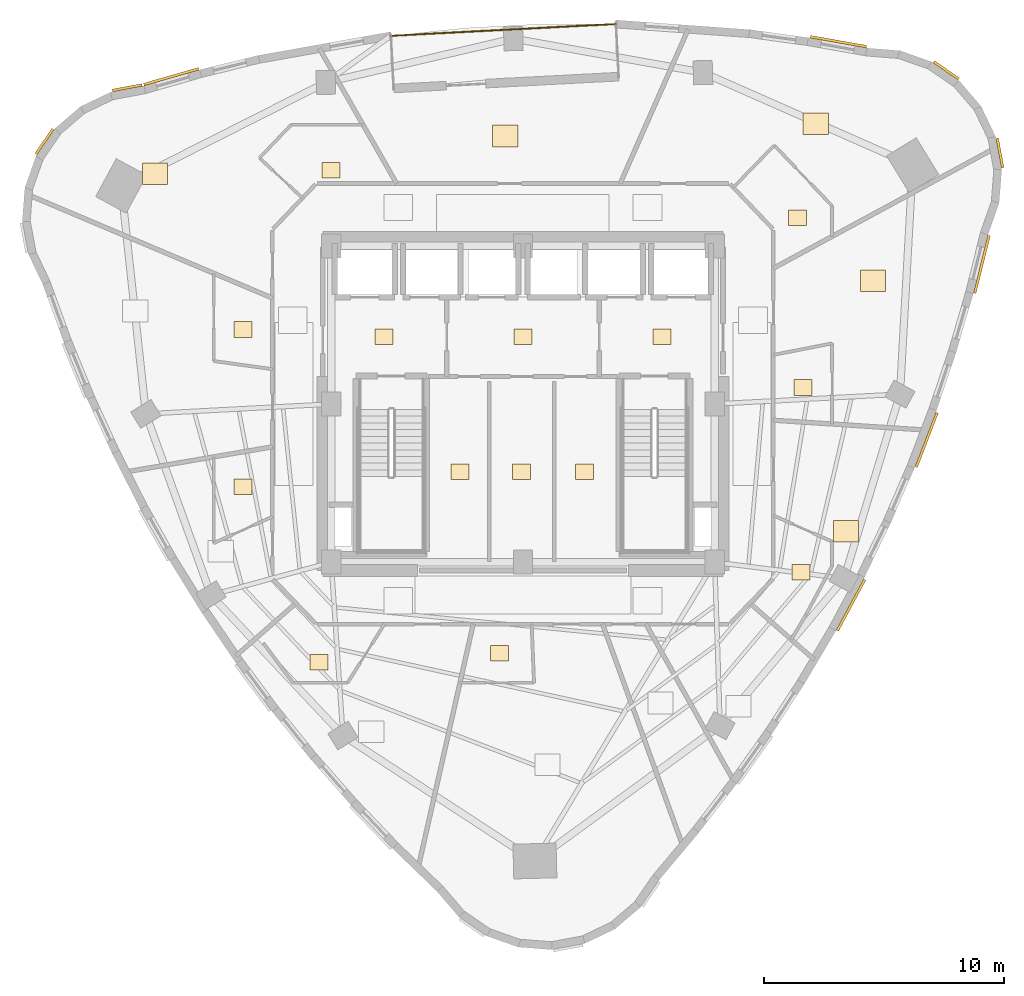
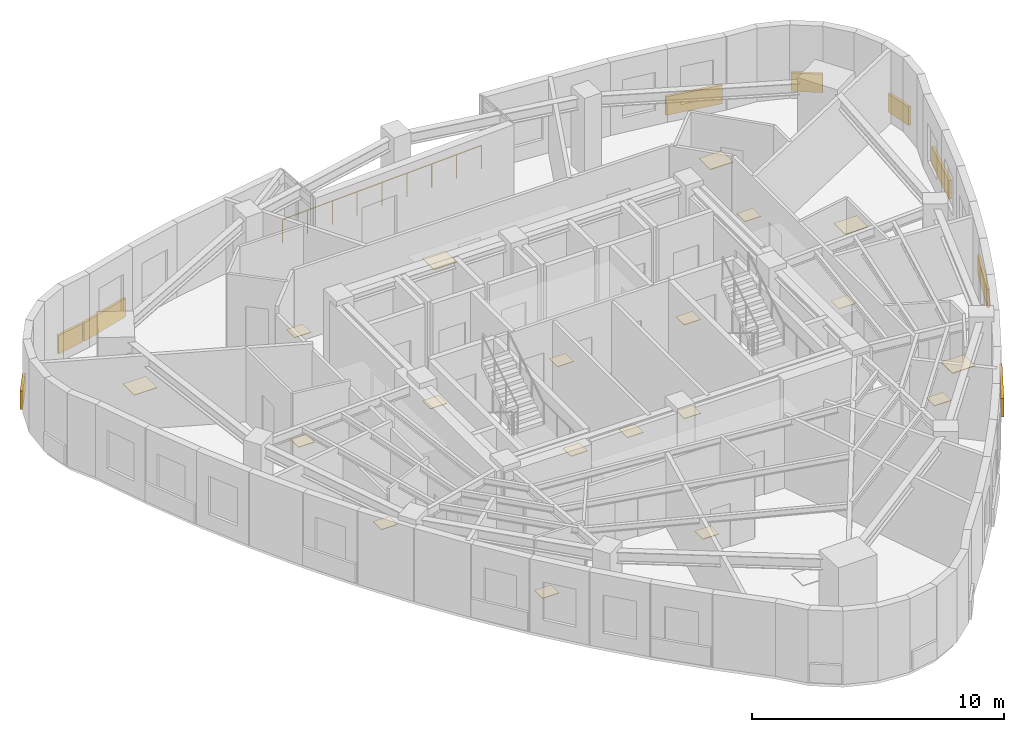
# One storey, part 11 of 11: 28 coverings, 1 railing.
"""IFC4 building model written with IfcOpenShell, lengths in metres."""

from ifc_helpers import new_model, si_unit, direction, frame, origin, origin_2d, place, context, subcontext, project, spatial, rectangle, circle, extrude, material, layer, layer_set, type_object, element, save


model = new_model("IFC4")

# Units and contexts
model_context = context("Model", 3, precision=1e-05, world=origin(), true_north=direction((0.0, 1.0)))
body_context = subcontext(model_context, "Body", "Model", "MODEL_VIEW")
ifc_project = project(units=[si_unit("LENGTHUNIT", "METRE"), si_unit("AREAUNIT", "SQUARE_METRE"), si_unit("VOLUMEUNIT", "CUBIC_METRE"), si_unit("PLANEANGLEUNIT", "RADIAN"), si_unit("MASSUNIT", "GRAM", prefix="KILO")], contexts=[model_context])

# Site, building, storey
site_placement = place(None, origin())
site = spatial("IfcSite", under=ifc_project, at=site_placement, CompositionType="ELEMENT")
building_placement = place(site_placement, origin())
building = spatial("IfcBuilding", under=site, at=building_placement, Name="Ndelora Gate Hotel", CompositionType="ELEMENT")
storey_placement = place(building_placement, frame((0.0, 0.0, 216.949951171875)))
storey = spatial("IfcBuildingStorey", under=building, at=storey_placement, Name="L54", CompositionType="ELEMENT", Elevation=216.949951171875)

# Coverings
ifc_material_1 = material(Name="Terracotta Fired Clay Brick Slip Cladding", Category="masonry")
ifc_layer_1 = layer(ifc_material_1, 0.110107421875)
ifc_layer_set_1 = layer_set([ifc_layer_1], Name="Terracotta Fired Clay Brick Slip Cladding")
covering_type_1 = type_object("IfcCoveringType", Name="COV-CLAD-BRK", PredefinedType="CLADDING", material=ifc_layer_set_1)
for number, where, z_axis, x_axis, name in (
    (1, (-16.508056640625, 13.1962890625, 0.10009765625), (0.0, 0.0, 1.0), (0.983254907564, 0.182235525492, 0.0), "L54 Rounded-Corner Brick Cladding Band 1"),
    (2, (-19.95751953125, 10.9560546875, 0.10009765625), (0.0, 0.0, 1.0), (0.566406236925, 0.824126188622, 0.0), "L54 Rounded-Corner Brick Cladding Band 4"),
):
    element("IfcCovering", number, at=place(storey_placement, frame(where, z_axis=z_axis, x_axis=x_axis)), inside=storey, type_object=covering_type_1, Name=name, PredefinedType="CLADDING", context=body_context, shape_type="SweptSolid", body=[
        extrude(rectangle(XDim=1.257080078125, YDim=0.110107421875, at=origin_2d()), origin(), (0.0, 0.0, 1.0), 0.89990234375),
    ])
covering_1_placement = place(storey_placement, frame((13.688720703125, -8.3916015625, 0.10009765625), z_axis=(0.0, 0.0, 1.0), x_axis=(0.472550764869, 0.881303452065, 0.0)))
element("IfcCovering", 3, at=covering_1_placement, inside=storey, type_object=covering_type_1, Name="L54 Rounded-Corner Brick Cladding Band 34", PredefinedType="CLADDING", context=body_context, shape_type="SweptSolid", body=[
    extrude(rectangle(XDim=2.416015625, YDim=0.110107421875, at=origin_2d()), origin(), (0.0, 0.0, 1.0), 0.89990234375),
])
covering_2_placement = place(storey_placement, frame((16.843994140625, -1.49853515625, 0.10009765625), z_axis=(0.0, 0.0, 1.0), x_axis=(0.358530884609, 0.933517865272, 0.0)))
element("IfcCovering", 4, at=covering_2_placement, inside=storey, type_object=covering_type_1, Name="L54 Rounded-Corner Brick Cladding Band 37", PredefinedType="CLADDING", context=body_context, shape_type="SweptSolid", body=[
    extrude(rectangle(XDim=2.428955078125, YDim=0.110107421875, at=origin_2d()), origin(), (0.0, 0.0, 1.0), 0.89990234375),
])
covering_3_placement = place(storey_placement, frame((19.1494140625, 5.825927734375, 0.10009765625), z_axis=(0.0, 0.0, 1.0), x_axis=(0.2419218956, 0.970295726276, 0.0)))
element("IfcCovering", 5, at=covering_3_placement, inside=storey, type_object=covering_type_1, Name="L54 Rounded-Corner Brick Cladding Band 40", PredefinedType="CLADDING", context=body_context, shape_type="SweptSolid", body=[
    extrude(rectangle(XDim=2.48193359375, YDim=0.110107421875, at=origin_2d()), origin(), (0.0, 0.0, 1.0), 0.89990234375),
])
covering_4_placement = place(storey_placement, frame((19.900634765625, 10.471435546875, 0.10009765625), z_axis=(0.0, 0.0, 1.0), x_axis=(-0.182235525492, 0.983254907564, 0.0)))
element("IfcCovering", 6, at=covering_4_placement, inside=storey, type_object=covering_type_1, Name="L54 Rounded-Corner Brick Cladding Band 43", PredefinedType="CLADDING", context=body_context, shape_type="SweptSolid", body=[
    extrude(rectangle(XDim=1.257080078125, YDim=0.110107421875, at=origin_2d()), origin(), (0.0, 0.0, 1.0), 0.89990234375),
])
covering_5_placement = place(storey_placement, frame((17.660400390625, 13.921142578125, 0.10009765625), z_axis=(0.0, 0.0, 1.0), x_axis=(-0.824126188622, 0.566406236925, 0.0)))
element("IfcCovering", 7, at=covering_5_placement, inside=storey, type_object=covering_type_1, Name="L54 Rounded-Corner Brick Cladding Band 46", PredefinedType="CLADDING", context=body_context, shape_type="SweptSolid", body=[
    extrude(rectangle(XDim=1.258056640625, YDim=0.110107421875, at=origin_2d()), origin(), (0.0, 0.0, 1.0), 0.89990234375),
])
for number, where, z_axis, x_axis, name in (
    (8, (13.162109375, 15.1162109375, 0.10009765625), (0.0, 0.0, 1.0), (-0.984686283733, 0.174335660806, 0.0), "L54 Rounded-Corner Brick Cladding Band 49"),
    (9, (-14.670166015625, 13.65771484375, 0.10009765625), (0.0, 0.0, 1.0), (0.961069030524, 0.276308375854, 0.0), "L54 Rounded-Corner Brick Cladding Band 58"),
):
    element("IfcCovering", number, at=place(storey_placement, frame(where, z_axis=z_axis, x_axis=x_axis)), inside=storey, type_object=covering_type_1, Name=name, PredefinedType="CLADDING", context=body_context, shape_type="SweptSolid", body=[
        extrude(rectangle(XDim=2.37890625, YDim=0.110107421875, at=origin_2d()), origin(), (0.0, 0.0, 1.0), 0.89990234375),
    ])
ifc_material_2 = material(Name="Engineered Highland Oak Parquet", Category="wood")
ifc_layer_2 = layer(ifc_material_2, 0.030029296875)
ifc_layer_set_2 = layer_set([ifc_layer_2], Name="Engineered Highland Oak Parquet")
covering_type_2 = type_object("IfcCoveringType", Name="COV-FLR-PARQ", PredefinedType="FLOORING", material=ifc_layer_set_2)
for number, where, z_axis, x_axis, name in (
    (10, (13.48388671875, -5.299560546875, 0.0), (0.0, 0.0, 1.0), (1.0, 0.0, 0.0), "L54 Altitude King Guest Room 5701 Oak Parquet Flooring"),
    (11, (14.600830078125, 5.13916015625, 0.0), (0.0, 0.0, 1.0), (1.0, 0.0, 0.0), "L54 Altitude Twin Guest Room 5702 Oak Parquet Flooring"),
    (12, (12.21728515625, 11.6943359375, 0.0), (0.0, 0.0, 1.0), (1.0, 0.0, 0.0), "L54 Corner Sky Suite 5703 Oak Parquet Flooring"),
    (13, (-0.73486328125, 11.182861328125, 0.0), (0.0, 0.0, 1.0), (1.0, 0.0, 0.0), "L54 Sky Garden Tea Dining Room Oak Parquet Flooring"),
    (14, (-15.350341796875, 9.610595703125, 0.0), (0.0, 0.0, 1.0), (1.0, 0.0, 0.0), "L54 South Diplomatic Suite 5704 Oak Parquet Flooring"),
):
    element("IfcCovering", number, at=place(storey_placement, frame(where, z_axis=z_axis, x_axis=x_axis)), inside=storey, type_object=covering_type_2, Name=name, PredefinedType="FLOORING", context=body_context, shape_type="SweptSolid", body=[
        extrude(rectangle(XDim=1.050048828125, YDim=0.89990234375, at=origin_2d()), origin(), (0.0, 0.0, 1.0), 0.030029296875),
    ])
ifc_material_3 = material(Name="Non-Slip Porcelain Wet-Room Tile", Category="ceramic")
ifc_layer_3 = layer(ifc_material_3, 0.02490234375)
ifc_layer_set_3 = layer_set([ifc_layer_3], Name="Non-Slip Porcelain Wet-Room Tile")
covering_type_3 = type_object("IfcCoveringType", Name="COV-FLR-TILE", PredefinedType="FLOORING", material=ifc_layer_set_3)
for number, where, z_axis, x_axis, name in (
    (15, (-5.800048828125, 2.800048828125, 0.0), (0.0, 0.0, 1.0), (1.0, 0.0, 0.0), "L54 Firefighting Lift Lobby West Porcelain Tile Flooring"),
    (16, (5.800048828125, 2.800048828125, 0.0), (0.0, 0.0, 1.0), (1.0, 0.0, 0.0), "L54 Firefighting Lift Lobby East Porcelain Tile Flooring"),
    (17, (0.0, 2.800048828125, 0.0), (0.0, 0.0, 1.0), (1.0, 0.0, 0.0), "L54 Central Passenger Lift Lobby Porcelain Tile Flooring"),
    (18, (-2.625, -2.824951171875, 0.0), (0.0, 0.0, 1.0), (1.0, 0.0, 0.0), "L54 Core Cleaners Store Porcelain Tile Flooring"),
    (19, (-0.050048828125, -2.824951171875, 0.0), (0.0, 0.0, 1.0), (1.0, 0.0, 0.0), "L54 Core Telecoms Equipment Room Porcelain Tile Flooring"),
    (20, (2.574951171875, -2.824951171875, 0.0), (0.0, 0.0, 1.0), (1.0, 0.0, 0.0), "L54 Core Electrical Metering Room Porcelain Tile Flooring"),
    (21, (11.603271484375, -7.01220703125, 0.0), (0.0, 0.0, 1.0), (1.0, 0.0, 0.0), "L54 En-suite Bathroom 5701 Porcelain Tile Flooring"),
    (22, (11.675048828125, 0.689208984375, 0.0), (0.0, 0.0, 1.0), (1.0, 0.0, 0.0), "L54 En-suite Bathroom 5702 Porcelain Tile Flooring"),
    (23, (11.4462890625, 7.776123046875, 0.0), (0.0, 0.0, 1.0), (1.0, 0.0, 0.0), "L54 En-suite Bathroom 5703 Porcelain Tile Flooring"),
    (24, (-8.00634765625, 9.75390625, 0.0), (0.0, 0.0, 1.0), (1.0, 0.0, 0.0), "L54 En-suite Bathroom 5704 Porcelain Tile Flooring"),
    (25, (-11.675048828125, 3.110595703125, 0.0), (0.0, 0.0, 1.0), (1.0, 0.0, 0.0), "L54 En-suite Bathroom 5705 Porcelain Tile Flooring"),
    (26, (-11.675048828125, -3.45654296875, 0.0), (0.0, 0.0, 1.0), (1.0, 0.0, 0.0), "L54 En-suite Bathroom 5706 Porcelain Tile Flooring"),
    (27, (-8.50390625, -10.768310546875, 0.0), (0.0, 0.0, 1.0), (1.0, 0.0, 0.0), "L54 En-suite Bathroom 5707 Porcelain Tile Flooring"),
    (28, (-0.9677734375, -10.405029296875, 0.0), (0.0, 0.0, 1.0), (1.0, 0.0, 0.0), "L54 En-suite Bathroom 5708 Porcelain Tile Flooring"),
):
    element("IfcCovering", number, at=place(storey_placement, frame(where, z_axis=z_axis, x_axis=x_axis)), inside=storey, type_object=covering_type_3, Name=name, PredefinedType="FLOORING", context=body_context, shape_type="SweptSolid", body=[
        extrude(rectangle(XDim=0.75, YDim=0.64990234375, at=origin_2d()), origin(), (0.0, 0.0, 1.0), 0.02490234375),
    ])

# Railing
ifc_material_4 = material(Name="Laminated Safety Glass and Bronze Top Rail", Category="glass")
ifc_layer_4 = layer(ifc_material_4, 0.070068359375)
ifc_layer_set_4 = layer_set([ifc_layer_4], Name="Laminated Safety Glass and Bronze Top Rail")
railing_type = type_object("IfcRailingType", Name="RL-BAL-1150", PredefinedType="BALUSTRADE", material=ifc_layer_set_4)
railing_placement = place(storey_placement, frame((3.87548828125, 15.8544921875, 0.0)))
element("IfcRailing", 29, at=railing_placement, inside=storey, type_object=railing_type, Name="L54 Sky-Garden Loggia Terrace Balustrade", PredefinedType="BALUSTRADE", context=body_context, shape_type="SweptSolid", body=[
    extrude(circle(Radius=0.02392578125, at=origin_2d()), frame((0.0, 0.0, 1.1357421875), z_axis=(-0.998629642142, -0.052333907124, 0.0), x_axis=(0.052333907124, -0.998629642142, 0.0)), (0.0, 0.0, 1.0), 9.400146484375),
    extrude(circle(Radius=0.02099609375, at=origin_2d()), origin(), (0.0, 0.0, 1.0), 1.11181640625),
    extrude(circle(Radius=0.02099609375, at=origin_2d()), frame((-1.17333984375, -0.0615234375, 0.0)), (0.0, 0.0, 1.0), 1.11181640625),
    extrude(circle(Radius=0.02099609375, at=origin_2d()), frame((-2.3466796875, -0.123046875, 0.0)), (0.0, 0.0, 1.0), 1.11181640625),
    extrude(circle(Radius=0.02099609375, at=origin_2d()), frame((-3.520263671875, -0.1845703125, 0.0)), (0.0, 0.0, 1.0), 1.11181640625),
    extrude(circle(Radius=0.02099609375, at=origin_2d()), frame((-4.693603515625, -0.24609375, 0.0)), (0.0, 0.0, 1.0), 1.11181640625),
    extrude(circle(Radius=0.02099609375, at=origin_2d()), frame((-5.866943359375, -0.307373046875, 0.0)), (0.0, 0.0, 1.0), 1.11181640625),
    extrude(circle(Radius=0.02099609375, at=origin_2d()), frame((-7.04052734375, -0.368896484375, 0.0)), (0.0, 0.0, 1.0), 1.11181640625),
    extrude(circle(Radius=0.02099609375, at=origin_2d()), frame((-8.2138671875, -0.430419921875, 0.0)), (0.0, 0.0, 1.0), 1.11181640625),
    extrude(circle(Radius=0.02099609375, at=origin_2d()), frame((-9.38720703125, -0.491943359375, 0.0)), (0.0, 0.0, 1.0), 1.11181640625),
])

save(model, "model.ifc")
